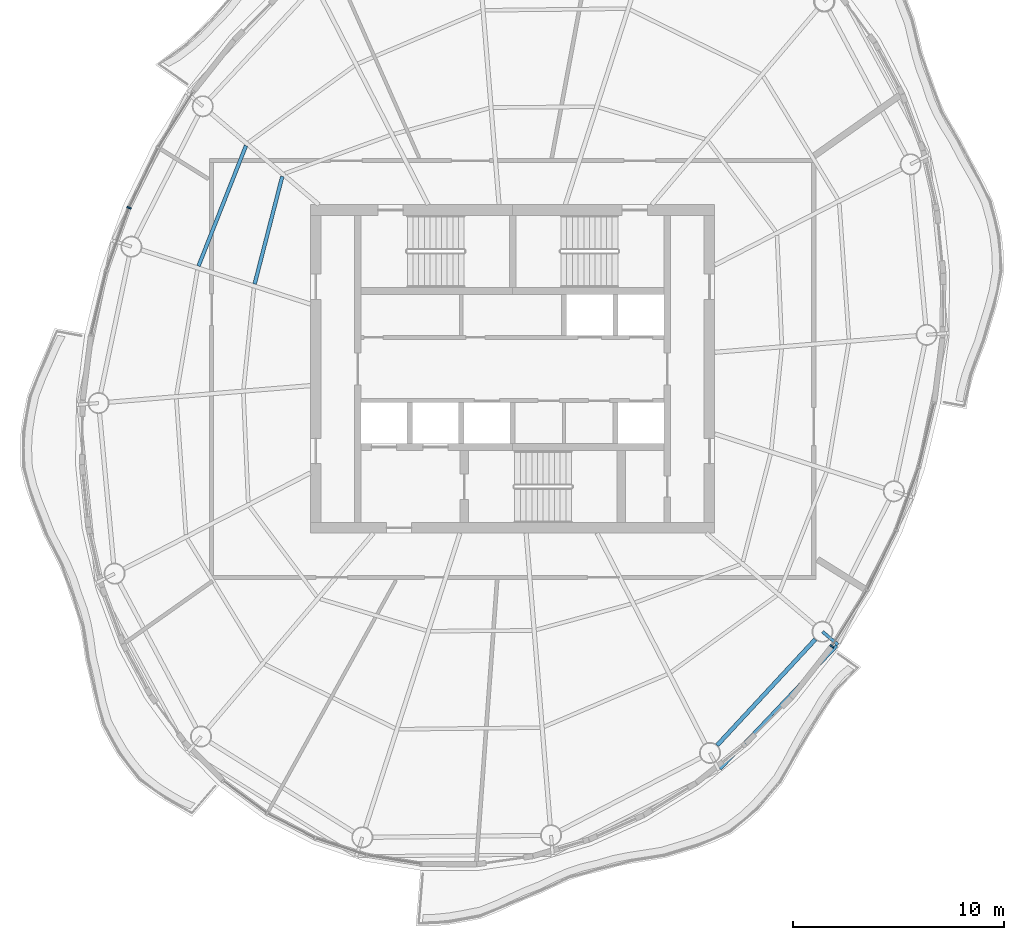
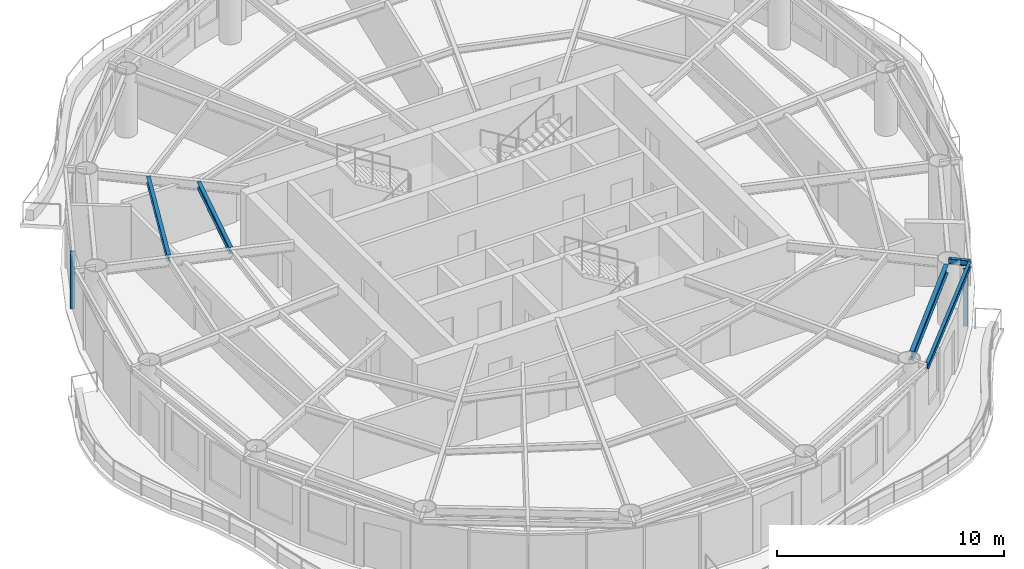
# One storey, part 3 of 13: 5 beams, 2 members, 2 elements without a shape of their own.
"""IFC4 building model written with IfcOpenShell, lengths in metres."""

from ifc_helpers import new_model, si_unit, direction, frame, origin, origin_2d, place, context, subcontext, project, spatial, rectangle, i_section, extrude, material, material_profile, profile_set, type_object, element, aggregate, save


model = new_model("IFC4")

# Units and contexts
model_context = context("Model", 3, precision=1e-05, world=origin(), true_north=direction((0.0, 1.0)))
body_context = subcontext(model_context, "Body", "Model", "MODEL_VIEW")
ifc_project = project(units=[si_unit("LENGTHUNIT", "METRE"), si_unit("AREAUNIT", "SQUARE_METRE"), si_unit("VOLUMEUNIT", "CUBIC_METRE"), si_unit("PLANEANGLEUNIT", "RADIAN"), si_unit("MASSUNIT", "GRAM", prefix="KILO")], contexts=[model_context])

# Site, building, storey
site_placement = place(None, origin())
site = spatial("IfcSite", under=ifc_project, at=site_placement, CompositionType="ELEMENT")
building_placement = place(site_placement, origin())
building = spatial("IfcBuilding", under=site, at=building_placement, Name="Vermilion Reach Broadcast Tower", CompositionType="ELEMENT")
storey_placement = place(building_placement, frame((0.0, 0.0, 300.89990234375)))
storey = spatial("IfcBuildingStorey", under=building, at=storey_placement, Name="L75", CompositionType="ELEMENT", Elevation=300.89990234375)

# Beams
ifc_material_1 = material(Name="Steel S355J2", Category="steel")
ifc_material_profile_1 = material_profile(ifc_material_1, i_section(OverallWidth=0.14990234375, OverallDepth=0.300048828125, WebThickness=0.006591796875, FlangeThickness=0.009033203125, at=origin_2d()), Name="S355J2 HN 300x150x6.5x9")
ifc_profile_set_1 = profile_set([ifc_material_profile_1], Name="Steel S355J2")
beam_type_1 = type_object("IfcBeamType", Name="EB5 HN 300x150x6.5x9", PredefinedType="BEAM", material=ifc_profile_set_1)
beam_1_placement = place(storey_placement, frame((3.85400390625, -19.001708984375, 3.25), z_axis=(0.687701793008, 0.725993280888, 0.0), x_axis=(-0.725993280888, 0.687701793008, 0.0)))
element("IfcBeam", 1, at=beam_1_placement, inside=storey, type_object=beam_type_1, Name="Edge beam EB5-11", PredefinedType="BEAM", context=body_context, shape_type="SweptSolid", body=[
    extrude(i_section(OverallWidth=0.14990234375, OverallDepth=0.300048828125, WebThickness=0.006591796875, FlangeThickness=0.009033203125, at=origin_2d()), origin(), (0.0, 0.0, 1.0), 8.05908203125),
])
ifc_material_2 = material(Name="Steel S355J2", Category="steel")
ifc_material_profile_2 = material_profile(ifc_material_2, i_section(OverallWidth=0.14990234375, OverallDepth=0.300048828125, WebThickness=0.006591796875, FlangeThickness=0.009033203125, at=origin_2d()), Name="S355J2 HN 300x150x6.5x9")
ifc_profile_set_2 = profile_set([ifc_material_profile_2], Name="Steel S355J2")
beam_type_2 = type_object("IfcBeamType", Name="GS5 HN 300x150x6.5x9", PredefinedType="BEAM", material=ifc_profile_set_2)
beam_2_placement = place(storey_placement, frame((8.717529296875, -12.476806640625, 3.25), z_axis=(0.762718692688, -0.64673038882, 0.0), x_axis=(0.64673038882, 0.762718692688, 0.0)))
element("IfcBeam", 2, at=beam_2_placement, inside=storey, type_object=beam_type_2, Name="Cantilever stub GS5-12", PredefinedType="BEAM", context=body_context, shape_type="SweptSolid", body=[
    extrude(i_section(OverallWidth=0.14990234375, OverallDepth=0.300048828125, WebThickness=0.006591796875, FlangeThickness=0.009033203125, at=origin_2d()), origin(), (0.0, 0.0, 1.0), 0.957763671875),
])
ifc_material_3 = material(Name="Steel S355J2", Category="steel")
ifc_material_profile_3 = material_profile(ifc_material_3, i_section(OverallWidth=0.199951171875, OverallDepth=0.449951171875, WebThickness=0.009033203125, FlangeThickness=0.013916015625, at=origin_2d()), Name="S355J2 HN 450x200x9x14")
ifc_profile_set_3 = profile_set([ifc_material_profile_3], Name="Steel S355J2")
beam_type_3 = type_object("IfcBeamType", Name="RB5 HN 450x200x9x14", PredefinedType="BEAM", material=ifc_profile_set_3)
beam_3_placement = place(storey_placement, frame((3.716796875, -17.87109375, 3.175048828125), z_axis=(0.679837550075, 0.733362738014, 0.0), x_axis=(-0.733362738014, 0.679837550075, 0.0)))
element("IfcBeam", 3, at=beam_3_placement, inside=storey, type_object=beam_type_3, Name="Ring beam RB5-11", PredefinedType="BEAM", context=body_context, shape_type="SweptSolid", body=[
    extrude(i_section(OverallWidth=0.199951171875, OverallDepth=0.449951171875, WebThickness=0.009033203125, FlangeThickness=0.013916015625, at=origin_2d()), origin(), (0.0, 0.0, 1.0), 6.85546875),
])
ifc_material_4 = material(Name="Steel S355J2", Category="steel")
ifc_material_profile_4 = material_profile(ifc_material_4, i_section(OverallWidth=0.175048828125, OverallDepth=0.35009765625, WebThickness=0.007080078125, FlangeThickness=0.010986328125, at=origin_2d()), Name="S355J2 HN 350x175x7x11")
ifc_profile_set_4 = profile_set([ifc_material_profile_4], Name="Steel S355J2")
beam_type_4 = type_object("IfcBeamType", Name="SB5 HN 350x175x7x11", PredefinedType="BEAM", material=ifc_profile_set_4)
beam_4_placement = place(storey_placement, frame((-16.940185546875, 9.1435546875, 3.22509765625), z_axis=(-0.248729575729, -0.968572969971, 0.0), x_axis=(0.968572969971, -0.248729575729, 0.0)))
element("IfcBeam", 4, at=beam_4_placement, inside=storey, type_object=beam_type_4, Name="Secondary beam SB5-04-1", PredefinedType="BEAM", context=body_context, shape_type="SweptSolid", body=[
    extrude(i_section(OverallWidth=0.175048828125, OverallDepth=0.35009765625, WebThickness=0.007080078125, FlangeThickness=0.010986328125, at=origin_2d()), origin(), (0.0, 0.0, 1.0), 5.27294921875),
])
beam_5_placement = place(storey_placement, frame((-18.6630859375, 10.604248046875, 3.22509765625), z_axis=(-0.366931189603, -0.930248086317, 0.0), x_axis=(0.930248086317, -0.366931189603, 0.0)))
element("IfcBeam", 5, at=beam_5_placement, inside=storey, type_object=beam_type_4, Name="Secondary beam SB5-04-2", PredefinedType="BEAM", context=body_context, shape_type="SweptSolid", body=[
    extrude(i_section(OverallWidth=0.175048828125, OverallDepth=0.35009765625, WebThickness=0.007080078125, FlangeThickness=0.010986328125, at=origin_2d()), origin(), (0.0, 0.0, 1.0), 6.141357421875),
])

# Curtain wall, member
ifc_material_5 = material(Name="Low-e laminated clear glass in aluminium frame", Category="aluminium")
curtain_wall_type = type_object("IfcCurtainWallType", Name="Slot curtain wall", PredefinedType="NOTDEFINED", material=ifc_material_5)
placement = place(storey_placement, origin())
curtain_wall_1 = element("IfcCurtainWall", 6, at=placement, inside=storey, type_object=curtain_wall_type, Name="Slot curtain wall L75 12", PredefinedType="NOTDEFINED")
ifc_material_6 = material(Name="Anodised aluminium", Category="aluminium")
ifc_material_profile_5 = material_profile(ifc_material_6, rectangle(XDim=0.199951171875, YDim=0.080078125, at=origin_2d()), Name="Slot mullion 80 x 200")
ifc_profile_set_5 = profile_set([ifc_material_profile_5], Name="Anodised aluminium")
member_type = type_object("IfcMemberType", Name="Slot mullion 80 x 200", PredefinedType="MULLION", material=ifc_profile_set_5)
member_1_placement = place(storey_placement, frame((-24.216064453125, 7.6572265625, 0.0), z_axis=(0.0, 0.0, 1.0), x_axis=(0.921863136506, -0.387515622332, 0.0)))
member_1 = element("IfcMember", 7, at=member_1_placement, type_object=member_type, Name="Slot mullion L75 12", PredefinedType="MULLION", context=body_context, shape_type="SweptSolid", body=[
    extrude(rectangle(XDim=0.199951171875, YDim=0.080078125, at=origin_2d()), origin(), (0.0, 0.0, 1.0), 3.10009765625),
])
aggregate(curtain_wall_1, [member_1])

curtain_wall_2 = element("IfcCurtainWall", 8, at=placement, inside=storey, type_object=curtain_wall_type, Name="Slot curtain wall L75 34", PredefinedType="NOTDEFINED")
member_2_placement = place(storey_placement, frame((9.162109375, -13.1767578125, 0.0), z_axis=(0.0, 0.0, 1.0), x_axis=(-0.817135132212, 0.576446160283, 0.0)))
member_2 = element("IfcMember", 9, at=member_2_placement, type_object=member_type, Name="Slot mullion L75 34", PredefinedType="MULLION", context=body_context, shape_type="SweptSolid", body=[
    extrude(rectangle(XDim=0.199951171875, YDim=0.080078125, at=origin_2d()), origin(), (0.0, 0.0, 1.0), 3.10009765625),
])
aggregate(curtain_wall_2, [member_2])

save(model, "model.ifc")
